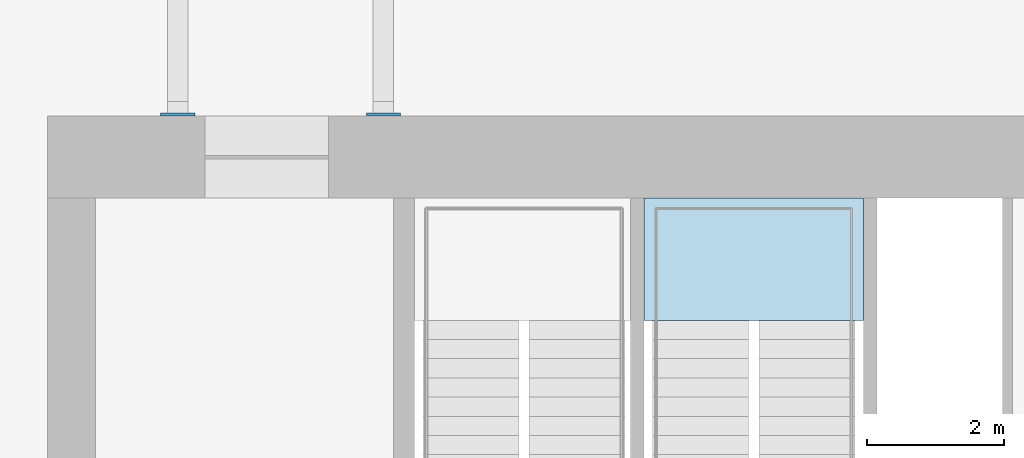
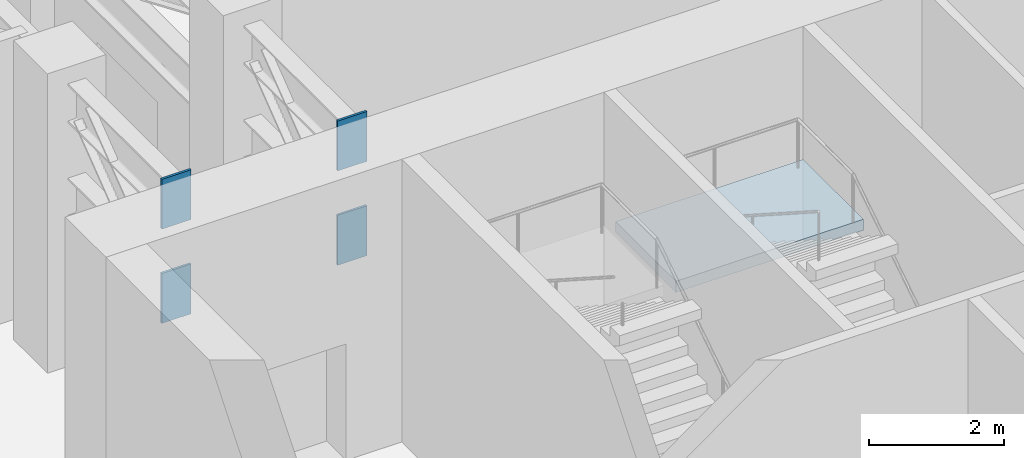
# One storey, part 5 of 14: 4 plates, 1 slab, 1 element without a shape of its own.
"""IFC4 building model written with IfcOpenShell, lengths in metres."""

from ifc_helpers import new_model, si_unit, direction, frame, origin, origin_2d, place, context, subcontext, project, spatial, polyline, rectangle, outline, extrude, material, layer, layer_set, type_object, element, aggregate, save


model = new_model("IFC4")

# Units and contexts
model_context = context("Model", 3, precision=1e-05, world=origin(), true_north=direction((0.0, 1.0)))
body_context = subcontext(model_context, "Body", "Model", "MODEL_VIEW")
ifc_project = project(units=[si_unit("LENGTHUNIT", "METRE"), si_unit("AREAUNIT", "SQUARE_METRE"), si_unit("VOLUMEUNIT", "CUBIC_METRE"), si_unit("PLANEANGLEUNIT", "RADIAN"), si_unit("MASSUNIT", "GRAM", prefix="KILO")], contexts=[model_context])

# Site, building, storey
site_placement = place(None, origin())
site = spatial("IfcSite", under=ifc_project, at=site_placement, CompositionType="ELEMENT")
building_placement = place(site_placement, origin())
building = spatial("IfcBuilding", under=site, at=building_placement, Name="Meshkara Civic Tower", CompositionType="ELEMENT")
storey_placement = place(building_placement, frame((0.0, 0.0, 220.199951171875)))
storey = spatial("IfcBuildingStorey", under=building, at=storey_placement, Name="L50", CompositionType="ELEMENT", Elevation=220.199951171875)

# Plates
ifc_material_1 = material(Name="Steel S355", Category="steel")
ifc_layer_1 = layer(ifc_material_1, 0.0400390625)
ifc_layer_set_1 = layer_set([ifc_layer_1], Name="Cast-in plate 40 500x900 S355")
plate_type = type_object("IfcPlateType", Name="Cast-in plate 40 500x900 S355", PredefinedType="SHEET", material=ifc_layer_set_1)
for number, where, z_axis, x_axis, name in (
    (1, (9.89990234375, 36.919921875, 4.300048828125), (0.0, 0.0, 1.0), (0.0, 1.0, 0.0), "Cast-in plate OSA1"),
    (2, (9.89990234375, 36.919921875, 2.60009765625), (0.0, 0.0, 1.0), (0.0, 1.0, 0.0), "Cast-in plate OSA1"),
    (3, (12.89990234375, 36.919921875, 4.300048828125), (0.0, 0.0, 1.0), (0.0, 1.0, 0.0), "Cast-in plate OSA2"),
    (4, (12.89990234375, 36.919921875, 2.60009765625), (0.0, 0.0, 1.0), (0.0, 1.0, 0.0), "Cast-in plate OSA2"),
):
    element("IfcPlate", number, at=place(storey_placement, frame(where, z_axis=z_axis, x_axis=x_axis)), inside=storey, type_object=plate_type, Name=name, PredefinedType="SHEET", context=body_context, shape_type="SweptSolid", body=[
        extrude(rectangle(XDim=0.0400390625, YDim=0.5, at=origin_2d()), origin(), (0.0, 0.0, 1.0), 0.89990234375),
    ])

# Stair, slab
ifc_material_2 = material(Name="Precast concrete C40/50", Category="concrete")
stair_type = type_object("IfcStairType", Name="Exit stair half-turn 30 risers precast", PredefinedType="HALF_TURN_STAIR", material=ifc_material_2)
stair_placement = place(storey_placement, origin())
stair = element("IfcStair", 5, at=stair_placement, inside=storey, type_object=stair_type, Name="L50 exit stair 2", PredefinedType="HALF_TURN_STAIR")
ifc_material_3 = material(Name="Precast concrete C40/50", Category="concrete")
ifc_layer_2 = layer(ifc_material_3, 0.199951171875)
ifc_layer_set_2 = layer_set([ifc_layer_2], Name="Exit stair landing 200")
slab_type = type_object("IfcSlabType", Name="Exit stair landing 200", PredefinedType="LANDING", material=ifc_layer_set_2)
slab_placement = place(storey_placement, frame((0.0, 0.0, 2.5)))
slab = element("IfcSlab", 6, at=slab_placement, type_object=slab_type, Name="ST2 landing 1", PredefinedType="LANDING", context=body_context, shape_type="SweptSolid", body=[
    extrude(outline(polyline([(19.89990234375, 33.91845703125), (19.89990234375, 35.699951171875), (16.699951171875, 35.699951171875), (16.699951171875, 33.91845703125), (19.89990234375, 33.91845703125)])), origin(), (0.0, 0.0, 1.0), 0.199951171875),
])
aggregate(stair, [slab])

save(model, "model.ifc")
